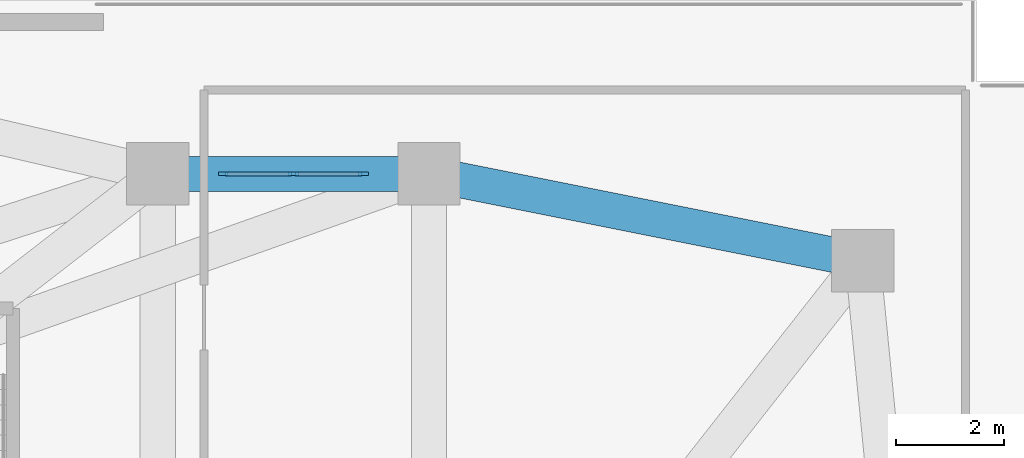
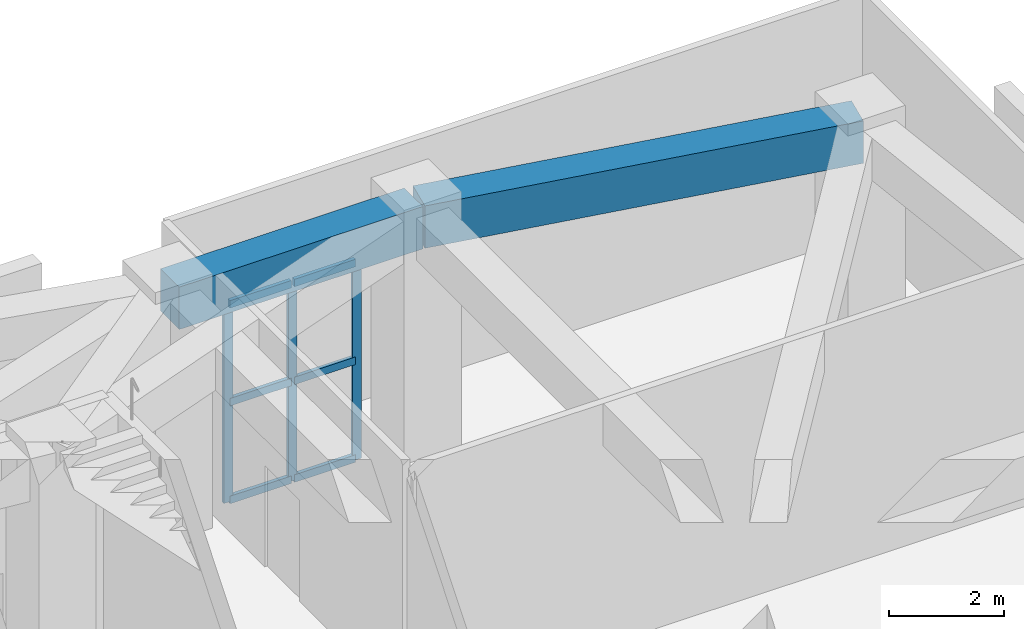
# One storey, part 4 of 18: 9 members, 2 beams, 1 element without a shape of its own.
"""IFC4 building model written with IfcOpenShell, lengths in metres."""

from ifc_helpers import new_model, si_unit, direction, frame, origin, origin_2d, place, context, subcontext, project, spatial, rectangle, extrude, material, material_profile, profile_set, type_object, element, aggregate, save


model = new_model("IFC4")

# Units and contexts
model_context = context("Model", 3, precision=1e-05, world=origin(), true_north=direction((0.0, 1.0)))
body_context = subcontext(model_context, "Body", "Model", "MODEL_VIEW")
ifc_project = project(units=[si_unit("LENGTHUNIT", "METRE"), si_unit("AREAUNIT", "SQUARE_METRE"), si_unit("VOLUMEUNIT", "CUBIC_METRE"), si_unit("PLANEANGLEUNIT", "RADIAN"), si_unit("MASSUNIT", "GRAM", prefix="KILO")], contexts=[model_context])

# Site, building, storey
site_placement = place(None, origin())
site = spatial("IfcSite", under=ifc_project, at=site_placement, CompositionType="ELEMENT")
building_placement = place(site_placement, origin())
building = spatial("IfcBuilding", under=site, at=building_placement, Name="Gaonmaruhae Medical Tower", CompositionType="ELEMENT")
storey_placement = place(building_placement, frame((0.0, 0.0, 16.199951171875)))
storey = spatial("IfcBuildingStorey", under=building, at=storey_placement, Name="L03", CompositionType="ELEMENT", Elevation=16.199951171875)

# Curtain wall, members
ifc_material_1 = material(Name="Anodised aluminium and Low-E double glazing", Category="aluminium")
curtain_wall_type = type_object("IfcCurtainWallType", Name="CW-S6 Podium Diagnostic Atrium Curtain Wall", PredefinedType="NOTDEFINED", material=ifc_material_1)
curtain_wall_placement = place(storey_placement, origin())
curtain_wall = element("IfcCurtainWall", 1, at=curtain_wall_placement, inside=storey, type_object=curtain_wall_type, Name="L03 Curtain Wall CW-L03-S6A", PredefinedType="NOTDEFINED")
ifc_material_2 = material(Name="Anodised aluminium 6063-T6", Category="aluminium")
ifc_material_profile_1 = material_profile(ifc_material_2, rectangle(XDim=0.06494140625, YDim=0.179931640625, at=origin_2d()), Name="CWM-65x180")
ifc_profile_set_1 = profile_set([ifc_material_profile_1], Name="Anodised aluminium 6063-T6")
member_type_1 = type_object("IfcMemberType", Name="CWM-2 Tower Feature Curtain Wall Mullion (CWM-65x180)", PredefinedType="MULLION", material=ifc_profile_set_1)
member_1_placement = place(storey_placement, frame((67.40576171875, 27.199951171875, 0.0), z_axis=(0.0, 0.0, 1.0), x_axis=(0.0, 1.0, 0.0)))
member_1 = element("IfcMember", 2, at=member_1_placement, type_object=member_type_1, Name="CW-S6 mullion 1", PredefinedType="MULLION", context=body_context, shape_type="SweptSolid", body=[
    extrude(rectangle(XDim=0.06494140625, YDim=0.179931640625, at=origin_2d()), origin(), (0.0, 0.0, 1.0), 4.22998046875),
])
member_2_placement = place(storey_placement, frame((68.699951171875, 27.199951171875, 0.0), z_axis=(0.0, 0.0, 1.0), x_axis=(0.0, 1.0, 0.0)))
member_2 = element("IfcMember", 3, at=member_2_placement, type_object=member_type_1, Name="CW-S6 mullion 2", PredefinedType="MULLION", context=body_context, shape_type="SweptSolid", body=[
    extrude(rectangle(XDim=0.06494140625, YDim=0.179931640625, at=origin_2d()), origin(), (0.0, 0.0, 1.0), 4.22998046875),
])
member_3_placement = place(storey_placement, frame((69.994384765625, 27.199951171875, 0.0), z_axis=(0.0, 0.0, 1.0), x_axis=(0.0, 1.0, 0.0)))
member_3 = element("IfcMember", 4, at=member_3_placement, type_object=member_type_1, Name="CW-S6 mullion 3", PredefinedType="MULLION", context=body_context, shape_type="SweptSolid", body=[
    extrude(rectangle(XDim=0.06494140625, YDim=0.179931640625, at=origin_2d()), origin(), (0.0, 0.0, 1.0), 4.22998046875),
])
ifc_material_profile_2 = material_profile(ifc_material_2, rectangle(XDim=0.074951171875, YDim=0.159912109375, at=origin_2d()), Name="CWT-75x160")
ifc_profile_set_2 = profile_set([ifc_material_profile_2], Name="Anodised aluminium 6063-T6")
member_type_2 = type_object("IfcMemberType", Name="CWT-1 Heavy Atrium Curtain Wall Transom (CWT-75x160)", PredefinedType="USERDEFINED", material=ifc_profile_set_2)
member_4_placement = place(storey_placement, frame((67.438232421875, 27.199951171875, 0.03759765625), z_axis=(1.0, 0.0, 0.0), x_axis=(0.0, 1.0, 0.0)))
member_4 = element("IfcMember", 5, at=member_4_placement, type_object=member_type_2, Name="CW-S6 transom 1.1", ObjectType="TRANSOM", PredefinedType="USERDEFINED", context=body_context, shape_type="SweptSolid", body=[
    extrude(rectangle(XDim=0.074951171875, YDim=0.159912109375, at=origin_2d()), origin(), (0.0, 0.0, 1.0), 1.229248046875),
])
member_5_placement = place(storey_placement, frame((67.438232421875, 27.199951171875, 2.114990234375), z_axis=(1.0, 0.0, 0.0), x_axis=(0.0, 1.0, 0.0)))
member_5 = element("IfcMember", 6, at=member_5_placement, type_object=member_type_2, Name="CW-S6 transom 1.2", ObjectType="TRANSOM", PredefinedType="USERDEFINED", context=body_context, shape_type="SweptSolid", body=[
    extrude(rectangle(XDim=0.074951171875, YDim=0.159912109375, at=origin_2d()), origin(), (0.0, 0.0, 1.0), 1.229248046875),
])
member_6_placement = place(storey_placement, frame((67.438232421875, 27.199951171875, 4.192626953125), z_axis=(1.0, 0.0, 0.0), x_axis=(0.0, 1.0, 0.0)))
member_6 = element("IfcMember", 7, at=member_6_placement, type_object=member_type_2, Name="CW-S6 transom 1.3", ObjectType="TRANSOM", PredefinedType="USERDEFINED", context=body_context, shape_type="SweptSolid", body=[
    extrude(rectangle(XDim=0.074951171875, YDim=0.159912109375, at=origin_2d()), origin(), (0.0, 0.0, 1.0), 1.229248046875),
])
member_7_placement = place(storey_placement, frame((68.732421875, 27.199951171875, 0.03759765625), z_axis=(1.0, 0.0, 0.0), x_axis=(0.0, 1.0, 0.0)))
member_7 = element("IfcMember", 8, at=member_7_placement, type_object=member_type_2, Name="CW-S6 transom 2.1", ObjectType="TRANSOM", PredefinedType="USERDEFINED", context=body_context, shape_type="SweptSolid", body=[
    extrude(rectangle(XDim=0.074951171875, YDim=0.159912109375, at=origin_2d()), origin(), (0.0, 0.0, 1.0), 1.2294921875),
])
member_8_placement = place(storey_placement, frame((68.732421875, 27.199951171875, 2.114990234375), z_axis=(1.0, 0.0, 0.0), x_axis=(0.0, 1.0, 0.0)))
member_8 = element("IfcMember", 9, at=member_8_placement, type_object=member_type_2, Name="CW-S6 transom 2.2", ObjectType="TRANSOM", PredefinedType="USERDEFINED", context=body_context, shape_type="SweptSolid", body=[
    extrude(rectangle(XDim=0.074951171875, YDim=0.159912109375, at=origin_2d()), origin(), (0.0, 0.0, 1.0), 1.2294921875),
])
member_9_placement = place(storey_placement, frame((68.732421875, 27.199951171875, 4.192626953125), z_axis=(1.0, 0.0, 0.0), x_axis=(0.0, 1.0, 0.0)))
member_9 = element("IfcMember", 10, at=member_9_placement, type_object=member_type_2, Name="CW-S6 transom 2.3", ObjectType="TRANSOM", PredefinedType="USERDEFINED", context=body_context, shape_type="SweptSolid", body=[
    extrude(rectangle(XDim=0.074951171875, YDim=0.159912109375, at=origin_2d()), origin(), (0.0, 0.0, 1.0), 1.2294921875),
])
aggregate(curtain_wall, [member_1, member_2, member_3, member_4, member_5, member_6, member_7, member_8, member_9])

# Beams
ifc_material_3 = material(Name="Concrete C50/60", Category="concrete")
ifc_material_profile_3 = material_profile(ifc_material_3, rectangle(XDim=0.64990234375, YDim=0.89990234375, at=origin_2d()), Name="RCG-650x900")
ifc_profile_set_3 = profile_set([ifc_material_profile_3], Name="Concrete C50/60")
beam_type = type_object("IfcBeamType", Name="RG-01 Podium Primary RC Girder (RCG-650x900)", PredefinedType="BEAM", material=ifc_profile_set_3)
beam_1_placement = place(storey_placement, frame((66.25, 27.199951171875, 4.699951171875), z_axis=(1.0, 0.0, 0.0), x_axis=(0.0, 1.0, 0.0)))
element("IfcBeam", 11, at=beam_1_placement, inside=storey, type_object=beam_type, Name="L03 Beam BM-L03-PG066", PredefinedType="BEAM", context=body_context, shape_type="SweptSolid", body=[
    extrude(rectangle(XDim=0.64990234375, YDim=0.89990234375, at=origin_2d()), origin(), (0.0, 0.0, 1.0), 4.89990234375),
])
beam_2_placement = place(storey_placement, frame((71.2490234375, 27.190185546875, 4.699951171875), z_axis=(0.98058184093, -0.196110308853, 0.0), x_axis=(0.196110308853, 0.98058184093, 0.0)))
element("IfcBeam", 12, at=beam_2_placement, inside=storey, type_object=beam_type, Name="L03 Beam BM-L03-PG068", PredefinedType="BEAM", context=body_context, shape_type="SweptSolid", body=[
    extrude(rectangle(XDim=0.64990234375, YDim=0.89990234375, at=origin_2d()), origin(), (0.0, 0.0, 1.0), 8.058349609375),
])

save(model, "model.ifc")
